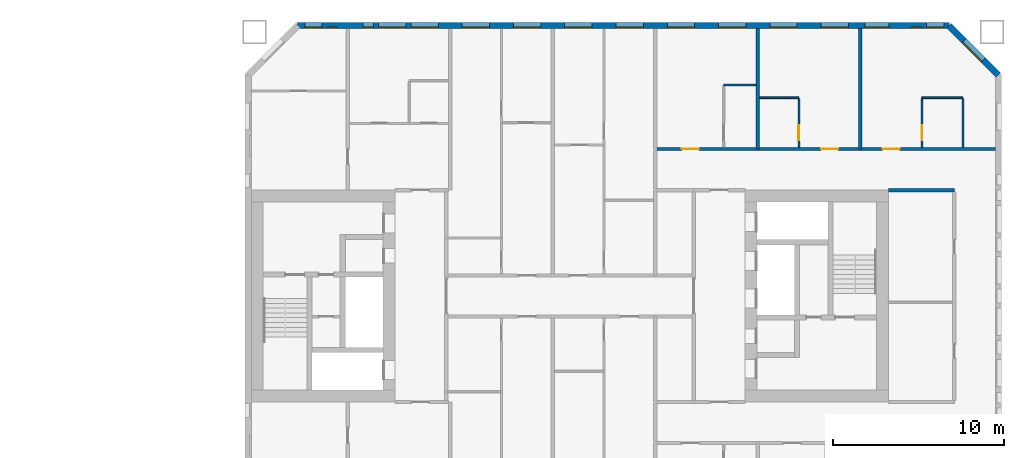
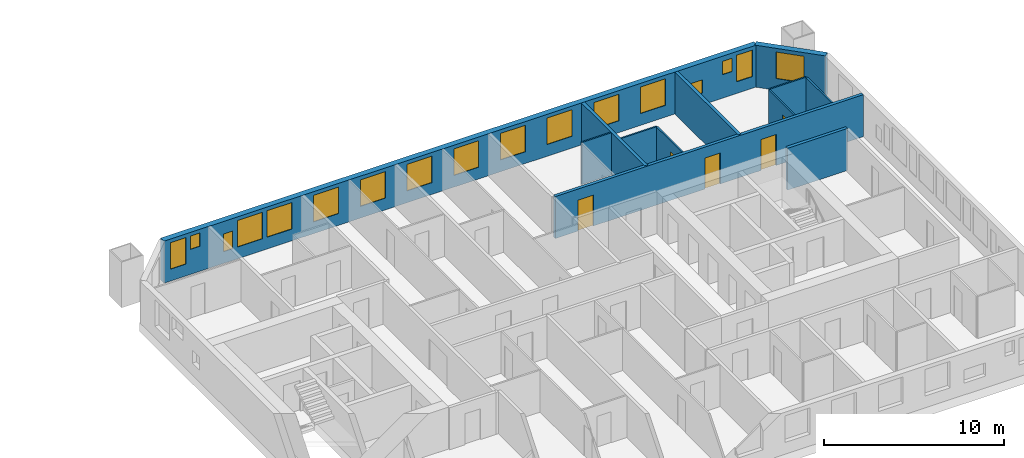
# One storey, part 14 of 17: 17 windows, 12 walls, 5 doors, 22 openings.
"""IFC4 building model written with IfcOpenShell, lengths in metres."""

from ifc_helpers import new_model, si_unit, direction, frame, frame_2d, origin, place, context, subcontext, project, spatial, rectangle, extrude, material, layer, layer_set, type_object, element, fill, save


model = new_model("IFC4")

# Units and contexts
model_context = context("Model", 3, precision=1e-05, world=origin(), true_north=direction((0.0, 1.0)))
body_context = subcontext(model_context, "Body", "Model", "MODEL_VIEW")
ifc_project = project(units=[si_unit("LENGTHUNIT", "METRE"), si_unit("AREAUNIT", "SQUARE_METRE"), si_unit("VOLUMEUNIT", "CUBIC_METRE"), si_unit("PLANEANGLEUNIT", "RADIAN"), si_unit("MASSUNIT", "GRAM", prefix="KILO")], contexts=[model_context])

# Site, building, storey
site_placement = place(None, origin())
site = spatial("IfcSite", under=ifc_project, at=site_placement, CompositionType="ELEMENT")
building_placement = place(site_placement, origin())
building = spatial("IfcBuilding", under=site, at=building_placement, Name="Tuart Gate Housing", CompositionType="ELEMENT")
storey_placement = place(building_placement, frame((0.0, 0.0, 71.60009765625)))
storey = spatial("IfcBuildingStorey", under=building, at=storey_placement, Name="L19", CompositionType="ELEMENT", Elevation=71.60009765625)

# Wall, opening, window
ifc_material_1 = material(Name="Brick", Category="masonry")
ifc_layer_1 = layer(ifc_material_1, 0.360107421875)
ifc_layer_set_1 = layer_set([ifc_layer_1], Name="Brick pier and spandrel wall 360")
wall_type_1 = type_object("IfcWallType", Name="Brick pier and spandrel wall 360", PredefinedType="STANDARD", material=ifc_layer_set_1)
wall_1_placement = place(storey_placement, frame((175.070068359375, 82.92529296875, 0.0), z_axis=(0.0, 0.0, 1.0), x_axis=(-0.707106781187, 0.707106781187, 0.0)))
wall_1 = element("IfcWall", 1, at=wall_1_placement, inside=storey, type_object=wall_type_1, Name="External wall B-NE L19", PredefinedType="STANDARD", context=body_context, shape_type="SweptSolid", body=[
    extrude(rectangle(XDim=4.09375, YDim=0.360107421875, at=frame_2d((2.046875, 0.0))), origin(), (0.0, 0.0, 1.0), 2.849853515625),
])
opening_1_placement = place(wall_1_placement, frame((1.2470703125, 0.0, 0.800048828125)))
opening_1 = element("IfcOpeningElement", 2, at=opening_1_placement, cuts=wall_1, Name="Opening W1", PredefinedType="OPENING", context=body_context, shape_type="SweptSolid", body=[
    extrude(rectangle(XDim=1.60009765625, YDim=1.800048828125, at=frame_2d((0.800048828125, 0.89990234375))), frame((0.0, 0.18994140625, 0.0), z_axis=(0.0, -1.0, 0.0), x_axis=(1.0, 0.0, 0.0)), (0.0, 0.0, 1.0), 0.380126953125),
])
ifc_material_2 = material(Name="Aluminium frame with clear glass", Category="aluminium")
window_type_1 = type_object("IfcWindowType", Name="Punched window 1600 x 1800", PartitioningType="SINGLE_PANEL", PredefinedType="WINDOW", material=ifc_material_2)
window_1_placement = place(opening_1_placement, origin())
window_1 = element("IfcWindow", 3, at=window_1_placement, inside=storey, type_object=window_type_1, Name="Window W1", OverallHeight=1.800048828125, OverallWidth=1.60009765625, PartitioningType="SINGLE_PANEL", PredefinedType="WINDOW", context=body_context, shape_type="SweptSolid", body=[
    extrude(rectangle(XDim=1.60009765625, YDim=1.800048828125, at=frame_2d((0.800048828125, 0.89990234375))), frame((0.0, 0.150146484375, 0.0), z_axis=(0.0, -1.0, 0.0), x_axis=(1.0, 0.0, 0.0)), (0.0, 0.0, 1.0), 0.06005859375),
])
fill(opening_1, window_1)

# Wall, openings, windows
wall_2_placement = place(storey_placement, frame((172.17529296875, 85.820068359375, 0.0), z_axis=(0.0, 0.0, 1.0), x_axis=(-1.0, 0.0, 0.0)))
wall_2 = element("IfcWall", 4, at=wall_2_placement, inside=storey, type_object=wall_type_1, Name="External wall B-N L19", PredefinedType="STANDARD", context=body_context, shape_type="SweptSolid", body=[
    extrude(rectangle(XDim=38.100830078125, YDim=0.360107421875, at=frame_2d((19.05029296875, 0.0))), origin(), (0.0, 0.0, 1.0), 2.849853515625),
])
opening_2_placement = place(wall_2_placement, frame((0.300048828125, 0.0, 0.800048828125)))
opening_2 = element("IfcOpeningElement", 5, at=opening_2_placement, cuts=wall_2, Name="Opening W1C", PredefinedType="OPENING", context=body_context, shape_type="SweptSolid", body=[
    extrude(rectangle(XDim=1.0, YDim=1.800048828125, at=frame_2d((0.5, 0.89990234375))), frame((0.0, 0.18994140625, 0.0), z_axis=(0.0, -1.0, 0.0), x_axis=(1.0, 0.0, 0.0)), (0.0, 0.0, 1.0), 0.380126953125),
])
opening_3_placement = place(wall_2_placement, frame((5.87548828125, 0.0, 0.800048828125)))
opening_3 = element("IfcOpeningElement", 6, at=opening_3_placement, cuts=wall_2, Name="Opening W1", PredefinedType="OPENING", context=body_context, shape_type="SweptSolid", body=[
    extrude(rectangle(XDim=1.60009765625, YDim=1.800048828125, at=frame_2d((0.800048828125, 0.89990234375))), frame((0.0, 0.18994140625, 0.0), z_axis=(0.0, -1.0, 0.0), x_axis=(1.0, 0.0, 0.0)), (0.0, 0.0, 1.0), 0.380126953125),
])
opening_4_placement = place(wall_2_placement, frame((8.87548828125, 0.0, 0.800048828125)))
opening_4 = element("IfcOpeningElement", 7, at=opening_4_placement, cuts=wall_2, Name="Opening W1", PredefinedType="OPENING", context=body_context, shape_type="SweptSolid", body=[
    extrude(rectangle(XDim=1.60009765625, YDim=1.800048828125, at=frame_2d((0.800048828125, 0.89990234375))), frame((0.0, 0.18994140625, 0.0), z_axis=(0.0, -1.0, 0.0), x_axis=(1.0, 0.0, 0.0)), (0.0, 0.0, 1.0), 0.380126953125),
])
opening_5_placement = place(wall_2_placement, frame((11.87548828125, 0.0, 0.800048828125)))
opening_5 = element("IfcOpeningElement", 8, at=opening_5_placement, cuts=wall_2, Name="Opening W1", PredefinedType="OPENING", context=body_context, shape_type="SweptSolid", body=[
    extrude(rectangle(XDim=1.60009765625, YDim=1.800048828125, at=frame_2d((0.800048828125, 0.89990234375))), frame((0.0, 0.18994140625, 0.0), z_axis=(0.0, -1.0, 0.0), x_axis=(1.0, 0.0, 0.0)), (0.0, 0.0, 1.0), 0.380126953125),
])
opening_6_placement = place(wall_2_placement, frame((14.87548828125, 0.0, 0.800048828125)))
opening_6 = element("IfcOpeningElement", 9, at=opening_6_placement, cuts=wall_2, Name="Opening W1", PredefinedType="OPENING", context=body_context, shape_type="SweptSolid", body=[
    extrude(rectangle(XDim=1.60009765625, YDim=1.800048828125, at=frame_2d((0.800048828125, 0.89990234375))), frame((0.0, 0.18994140625, 0.0), z_axis=(0.0, -1.0, 0.0), x_axis=(1.0, 0.0, 0.0)), (0.0, 0.0, 1.0), 0.380126953125),
])
opening_7_placement = place(wall_2_placement, frame((17.87548828125, 0.0, 0.800048828125)))
opening_7 = element("IfcOpeningElement", 10, at=opening_7_placement, cuts=wall_2, Name="Opening W1", PredefinedType="OPENING", context=body_context, shape_type="SweptSolid", body=[
    extrude(rectangle(XDim=1.60009765625, YDim=1.800048828125, at=frame_2d((0.800048828125, 0.89990234375))), frame((0.0, 0.18994140625, 0.0), z_axis=(0.0, -1.0, 0.0), x_axis=(1.0, 0.0, 0.0)), (0.0, 0.0, 1.0), 0.380126953125),
])
opening_8_placement = place(wall_2_placement, frame((20.87548828125, 0.0, 0.800048828125)))
opening_8 = element("IfcOpeningElement", 11, at=opening_8_placement, cuts=wall_2, Name="Opening W1", PredefinedType="OPENING", context=body_context, shape_type="SweptSolid", body=[
    extrude(rectangle(XDim=1.60009765625, YDim=1.800048828125, at=frame_2d((0.800048828125, 0.89990234375))), frame((0.0, 0.18994140625, 0.0), z_axis=(0.0, -1.0, 0.0), x_axis=(1.0, 0.0, 0.0)), (0.0, 0.0, 1.0), 0.380126953125),
])
opening_9_placement = place(wall_2_placement, frame((23.87548828125, 0.0, 0.800048828125)))
opening_9 = element("IfcOpeningElement", 12, at=opening_9_placement, cuts=wall_2, Name="Opening W1", PredefinedType="OPENING", context=body_context, shape_type="SweptSolid", body=[
    extrude(rectangle(XDim=1.60009765625, YDim=1.800048828125, at=frame_2d((0.800048828125, 0.89990234375))), frame((0.0, 0.18994140625, 0.0), z_axis=(0.0, -1.0, 0.0), x_axis=(1.0, 0.0, 0.0)), (0.0, 0.0, 1.0), 0.380126953125),
])
opening_10_placement = place(wall_2_placement, frame((26.87548828125, 0.0, 0.800048828125)))
opening_10 = element("IfcOpeningElement", 13, at=opening_10_placement, cuts=wall_2, Name="Opening W1", PredefinedType="OPENING", context=body_context, shape_type="SweptSolid", body=[
    extrude(rectangle(XDim=1.60009765625, YDim=1.800048828125, at=frame_2d((0.800048828125, 0.89990234375))), frame((0.0, 0.18994140625, 0.0), z_axis=(0.0, -1.0, 0.0), x_axis=(1.0, 0.0, 0.0)), (0.0, 0.0, 1.0), 0.380126953125),
])
opening_11_placement = place(wall_2_placement, frame((29.87548828125, 0.0, 0.800048828125)))
opening_11 = element("IfcOpeningElement", 14, at=opening_11_placement, cuts=wall_2, Name="Opening W1", PredefinedType="OPENING", context=body_context, shape_type="SweptSolid", body=[
    extrude(rectangle(XDim=1.60009765625, YDim=1.800048828125, at=frame_2d((0.800048828125, 0.89990234375))), frame((0.0, 0.18994140625, 0.0), z_axis=(0.0, -1.0, 0.0), x_axis=(1.0, 0.0, 0.0)), (0.0, 0.0, 1.0), 0.380126953125),
])
opening_12_placement = place(wall_2_placement, frame((31.775390625, 0.0, 0.800048828125)))
opening_12 = element("IfcOpeningElement", 15, at=opening_12_placement, cuts=wall_2, Name="Opening W1", PredefinedType="OPENING", context=body_context, shape_type="SweptSolid", body=[
    extrude(rectangle(XDim=1.60009765625, YDim=1.800048828125, at=frame_2d((0.800048828125, 0.89990234375))), frame((0.0, 0.18994140625, 0.0), z_axis=(0.0, -1.0, 0.0), x_axis=(1.0, 0.0, 0.0)), (0.0, 0.0, 1.0), 0.380126953125),
])
opening_13_placement = place(wall_2_placement, frame((35.775390625, 0.0, 1.699951171875)))
opening_13 = element("IfcOpeningElement", 16, at=opening_13_placement, cuts=wall_2, Name="Opening W1W", PredefinedType="OPENING", context=body_context, shape_type="SweptSolid", body=[
    extrude(rectangle(XDim=0.60009765625, YDim=0.89990234375, at=frame_2d((0.300048828125, 0.449951171875))), frame((0.0, 0.18994140625, 0.0), z_axis=(0.0, -1.0, 0.0), x_axis=(1.0, 0.0, 0.0)), (0.0, 0.0, 1.0), 0.380126953125),
])
opening_14_placement = place(wall_2_placement, frame((1.60009765625, 0.0, 1.60009765625)))
opening_14 = element("IfcOpeningElement", 17, at=opening_14_placement, cuts=wall_2, Name="Opening W1W", PredefinedType="OPENING", context=body_context, shape_type="SweptSolid", body=[
    extrude(rectangle(XDim=0.60009765625, YDim=0.89990234375, at=frame_2d((0.300048828125, 0.449951171875))), frame((0.0, 0.18994140625, 0.0), z_axis=(0.0, -1.0, 0.0), x_axis=(1.0, 0.0, 0.0)), (0.0, 0.0, 1.0), 0.380126953125),
])
opening_15_placement = place(wall_2_placement, frame((3.5, 0.0, 0.800048828125)))
opening_15 = element("IfcOpeningElement", 18, at=opening_15_placement, cuts=wall_2, Name="Opening W1S", PredefinedType="OPENING", context=body_context, shape_type="SweptSolid", body=[
    extrude(rectangle(XDim=1.39990234375, YDim=0.89990234375, at=frame_2d((0.699951171875, 0.449951171875))), frame((0.0, 0.18994140625, 0.0), z_axis=(0.0, -1.0, 0.0), x_axis=(1.0, 0.0, 0.0)), (0.0, 0.0, 1.0), 0.380126953125),
])
opening_16_placement = place(wall_2_placement, frame((33.67529296875, 0.0, 0.800048828125)))
opening_16 = element("IfcOpeningElement", 19, at=opening_16_placement, cuts=wall_2, Name="Opening W1Q", PredefinedType="OPENING", context=body_context, shape_type="SweptSolid", body=[
    extrude(rectangle(XDim=0.60009765625, YDim=1.199951171875, at=frame_2d((0.300048828125, 0.60009765625))), frame((0.0, 0.18994140625, 0.0), z_axis=(0.0, -1.0, 0.0), x_axis=(1.0, 0.0, 0.0)), (0.0, 0.0, 1.0), 0.380126953125),
])
opening_17_placement = place(wall_2_placement, frame((36.67529296875, 0.0, 0.800048828125)))
opening_17 = element("IfcOpeningElement", 20, at=opening_17_placement, cuts=wall_2, Name="Opening W1C", PredefinedType="OPENING", context=body_context, shape_type="SweptSolid", body=[
    extrude(rectangle(XDim=1.0, YDim=1.800048828125, at=frame_2d((0.5, 0.89990234375))), frame((0.0, 0.18994140625, 0.0), z_axis=(0.0, -1.0, 0.0), x_axis=(1.0, 0.0, 0.0)), (0.0, 0.0, 1.0), 0.380126953125),
])
ifc_material_3 = material(Name="Aluminium frame with clear glass", Category="aluminium")
window_type_2 = type_object("IfcWindowType", Name="Punched window 1000 x 1800", PartitioningType="SINGLE_PANEL", PredefinedType="WINDOW", material=ifc_material_3)
window_2_placement = place(opening_2_placement, origin())
window_2 = element("IfcWindow", 21, at=window_2_placement, inside=storey, type_object=window_type_2, Name="Window W1C", OverallHeight=1.800048828125, OverallWidth=1.0, PartitioningType="SINGLE_PANEL", PredefinedType="WINDOW", context=body_context, shape_type="SweptSolid", body=[
    extrude(rectangle(XDim=1.0, YDim=1.800048828125, at=frame_2d((0.5, 0.89990234375))), frame((0.0, 0.150146484375, 0.0), z_axis=(0.0, -1.0, 0.0), x_axis=(1.0, 0.0, 0.0)), (0.0, 0.0, 1.0), 0.06005859375),
])
fill(opening_2, window_2)
window_3_placement = place(opening_17_placement, origin())
window_3 = element("IfcWindow", 22, at=window_3_placement, inside=storey, type_object=window_type_2, Name="Window W1C", OverallHeight=1.800048828125, OverallWidth=1.0, PartitioningType="SINGLE_PANEL", PredefinedType="WINDOW", context=body_context, shape_type="SweptSolid", body=[
    extrude(rectangle(XDim=1.0, YDim=1.800048828125, at=frame_2d((0.5, 0.89990234375))), frame((0.0, 0.150146484375, 0.0), z_axis=(0.0, -1.0, 0.0), x_axis=(1.0, 0.0, 0.0)), (0.0, 0.0, 1.0), 0.06005859375),
])
fill(opening_17, window_3)
ifc_material_4 = material(Name="Aluminium frame with clear glass", Category="aluminium")
window_type_3 = type_object("IfcWindowType", Name="Punched window 1400 x 900", PartitioningType="SINGLE_PANEL", PredefinedType="WINDOW", material=ifc_material_4)
window_4_placement = place(opening_15_placement, origin())
window_4 = element("IfcWindow", 23, at=window_4_placement, inside=storey, type_object=window_type_3, Name="Window W1S", OverallHeight=0.89990234375, OverallWidth=1.39990234375, PartitioningType="SINGLE_PANEL", PredefinedType="WINDOW", context=body_context, shape_type="SweptSolid", body=[
    extrude(rectangle(XDim=1.39990234375, YDim=0.89990234375, at=frame_2d((0.699951171875, 0.449951171875))), frame((0.0, 0.150146484375, 0.0), z_axis=(0.0, -1.0, 0.0), x_axis=(1.0, 0.0, 0.0)), (0.0, 0.0, 1.0), 0.06005859375),
])
fill(opening_15, window_4)
window_5_placement = place(opening_3_placement, origin())
window_5 = element("IfcWindow", 24, at=window_5_placement, inside=storey, type_object=window_type_1, Name="Window W1", OverallHeight=1.800048828125, OverallWidth=1.60009765625, PartitioningType="SINGLE_PANEL", PredefinedType="WINDOW", context=body_context, shape_type="SweptSolid", body=[
    extrude(rectangle(XDim=1.60009765625, YDim=1.800048828125, at=frame_2d((0.800048828125, 0.89990234375))), frame((0.0, 0.150146484375, 0.0), z_axis=(0.0, -1.0, 0.0), x_axis=(1.0, 0.0, 0.0)), (0.0, 0.0, 1.0), 0.06005859375),
])
fill(opening_3, window_5)
window_6_placement = place(opening_4_placement, origin())
window_6 = element("IfcWindow", 25, at=window_6_placement, inside=storey, type_object=window_type_1, Name="Window W1", OverallHeight=1.800048828125, OverallWidth=1.60009765625, PartitioningType="SINGLE_PANEL", PredefinedType="WINDOW", context=body_context, shape_type="SweptSolid", body=[
    extrude(rectangle(XDim=1.60009765625, YDim=1.800048828125, at=frame_2d((0.800048828125, 0.89990234375))), frame((0.0, 0.150146484375, 0.0), z_axis=(0.0, -1.0, 0.0), x_axis=(1.0, 0.0, 0.0)), (0.0, 0.0, 1.0), 0.06005859375),
])
fill(opening_4, window_6)
window_7_placement = place(opening_5_placement, origin())
window_7 = element("IfcWindow", 26, at=window_7_placement, inside=storey, type_object=window_type_1, Name="Window W1", OverallHeight=1.800048828125, OverallWidth=1.60009765625, PartitioningType="SINGLE_PANEL", PredefinedType="WINDOW", context=body_context, shape_type="SweptSolid", body=[
    extrude(rectangle(XDim=1.60009765625, YDim=1.800048828125, at=frame_2d((0.800048828125, 0.89990234375))), frame((0.0, 0.150146484375, 0.0), z_axis=(0.0, -1.0, 0.0), x_axis=(1.0, 0.0, 0.0)), (0.0, 0.0, 1.0), 0.06005859375),
])
fill(opening_5, window_7)
window_8_placement = place(opening_6_placement, origin())
window_8 = element("IfcWindow", 27, at=window_8_placement, inside=storey, type_object=window_type_1, Name="Window W1", OverallHeight=1.800048828125, OverallWidth=1.60009765625, PartitioningType="SINGLE_PANEL", PredefinedType="WINDOW", context=body_context, shape_type="SweptSolid", body=[
    extrude(rectangle(XDim=1.60009765625, YDim=1.800048828125, at=frame_2d((0.800048828125, 0.89990234375))), frame((0.0, 0.150146484375, 0.0), z_axis=(0.0, -1.0, 0.0), x_axis=(1.0, 0.0, 0.0)), (0.0, 0.0, 1.0), 0.06005859375),
])
fill(opening_6, window_8)
window_9_placement = place(opening_7_placement, origin())
window_9 = element("IfcWindow", 28, at=window_9_placement, inside=storey, type_object=window_type_1, Name="Window W1", OverallHeight=1.800048828125, OverallWidth=1.60009765625, PartitioningType="SINGLE_PANEL", PredefinedType="WINDOW", context=body_context, shape_type="SweptSolid", body=[
    extrude(rectangle(XDim=1.60009765625, YDim=1.800048828125, at=frame_2d((0.800048828125, 0.89990234375))), frame((0.0, 0.150146484375, 0.0), z_axis=(0.0, -1.0, 0.0), x_axis=(1.0, 0.0, 0.0)), (0.0, 0.0, 1.0), 0.06005859375),
])
fill(opening_7, window_9)
window_10_placement = place(opening_8_placement, origin())
window_10 = element("IfcWindow", 29, at=window_10_placement, inside=storey, type_object=window_type_1, Name="Window W1", OverallHeight=1.800048828125, OverallWidth=1.60009765625, PartitioningType="SINGLE_PANEL", PredefinedType="WINDOW", context=body_context, shape_type="SweptSolid", body=[
    extrude(rectangle(XDim=1.60009765625, YDim=1.800048828125, at=frame_2d((0.800048828125, 0.89990234375))), frame((0.0, 0.150146484375, 0.0), z_axis=(0.0, -1.0, 0.0), x_axis=(1.0, 0.0, 0.0)), (0.0, 0.0, 1.0), 0.06005859375),
])
fill(opening_8, window_10)
window_11_placement = place(opening_9_placement, origin())
window_11 = element("IfcWindow", 30, at=window_11_placement, inside=storey, type_object=window_type_1, Name="Window W1", OverallHeight=1.800048828125, OverallWidth=1.60009765625, PartitioningType="SINGLE_PANEL", PredefinedType="WINDOW", context=body_context, shape_type="SweptSolid", body=[
    extrude(rectangle(XDim=1.60009765625, YDim=1.800048828125, at=frame_2d((0.800048828125, 0.89990234375))), frame((0.0, 0.150146484375, 0.0), z_axis=(0.0, -1.0, 0.0), x_axis=(1.0, 0.0, 0.0)), (0.0, 0.0, 1.0), 0.06005859375),
])
fill(opening_9, window_11)
window_12_placement = place(opening_10_placement, origin())
window_12 = element("IfcWindow", 31, at=window_12_placement, inside=storey, type_object=window_type_1, Name="Window W1", OverallHeight=1.800048828125, OverallWidth=1.60009765625, PartitioningType="SINGLE_PANEL", PredefinedType="WINDOW", context=body_context, shape_type="SweptSolid", body=[
    extrude(rectangle(XDim=1.60009765625, YDim=1.800048828125, at=frame_2d((0.800048828125, 0.89990234375))), frame((0.0, 0.150146484375, 0.0), z_axis=(0.0, -1.0, 0.0), x_axis=(1.0, 0.0, 0.0)), (0.0, 0.0, 1.0), 0.06005859375),
])
fill(opening_10, window_12)
window_13_placement = place(opening_11_placement, origin())
window_13 = element("IfcWindow", 32, at=window_13_placement, inside=storey, type_object=window_type_1, Name="Window W1", OverallHeight=1.800048828125, OverallWidth=1.60009765625, PartitioningType="SINGLE_PANEL", PredefinedType="WINDOW", context=body_context, shape_type="SweptSolid", body=[
    extrude(rectangle(XDim=1.60009765625, YDim=1.800048828125, at=frame_2d((0.800048828125, 0.89990234375))), frame((0.0, 0.150146484375, 0.0), z_axis=(0.0, -1.0, 0.0), x_axis=(1.0, 0.0, 0.0)), (0.0, 0.0, 1.0), 0.06005859375),
])
fill(opening_11, window_13)
window_14_placement = place(opening_12_placement, origin())
window_14 = element("IfcWindow", 33, at=window_14_placement, inside=storey, type_object=window_type_1, Name="Window W1", OverallHeight=1.800048828125, OverallWidth=1.60009765625, PartitioningType="SINGLE_PANEL", PredefinedType="WINDOW", context=body_context, shape_type="SweptSolid", body=[
    extrude(rectangle(XDim=1.60009765625, YDim=1.800048828125, at=frame_2d((0.800048828125, 0.89990234375))), frame((0.0, 0.150146484375, 0.0), z_axis=(0.0, -1.0, 0.0), x_axis=(1.0, 0.0, 0.0)), (0.0, 0.0, 1.0), 0.06005859375),
])
fill(opening_12, window_14)
ifc_material_5 = material(Name="Aluminium frame with clear glass", Category="aluminium")
window_type_4 = type_object("IfcWindowType", Name="Punched window 600 x 1200", PartitioningType="SINGLE_PANEL", PredefinedType="WINDOW", material=ifc_material_5)
window_15_placement = place(opening_16_placement, origin())
window_15 = element("IfcWindow", 34, at=window_15_placement, inside=storey, type_object=window_type_4, Name="Window W1Q", OverallHeight=1.199951171875, OverallWidth=0.60009765625, PartitioningType="SINGLE_PANEL", PredefinedType="WINDOW", context=body_context, shape_type="SweptSolid", body=[
    extrude(rectangle(XDim=0.60009765625, YDim=1.199951171875, at=frame_2d((0.300048828125, 0.60009765625))), frame((0.0, 0.150146484375, 0.0), z_axis=(0.0, -1.0, 0.0), x_axis=(1.0, 0.0, 0.0)), (0.0, 0.0, 1.0), 0.06005859375),
])
fill(opening_16, window_15)
ifc_material_6 = material(Name="Aluminium frame with clear glass", Category="aluminium")
window_type_5 = type_object("IfcWindowType", Name="Punched window 600 x 900", PartitioningType="SINGLE_PANEL", PredefinedType="WINDOW", material=ifc_material_6)
window_16_placement = place(opening_13_placement, origin())
window_16 = element("IfcWindow", 35, at=window_16_placement, inside=storey, type_object=window_type_5, Name="Window W1W", OverallHeight=0.89990234375, OverallWidth=0.60009765625, PartitioningType="SINGLE_PANEL", PredefinedType="WINDOW", context=body_context, shape_type="SweptSolid", body=[
    extrude(rectangle(XDim=0.60009765625, YDim=0.89990234375, at=frame_2d((0.300048828125, 0.449951171875))), frame((0.0, 0.150146484375, 0.0), z_axis=(0.0, -1.0, 0.0), x_axis=(1.0, 0.0, 0.0)), (0.0, 0.0, 1.0), 0.06005859375),
])
fill(opening_13, window_16)
window_17_placement = place(opening_14_placement, origin())
window_17 = element("IfcWindow", 36, at=window_17_placement, inside=storey, type_object=window_type_5, Name="Window W1W", OverallHeight=0.89990234375, OverallWidth=0.60009765625, PartitioningType="SINGLE_PANEL", PredefinedType="WINDOW", context=body_context, shape_type="SweptSolid", body=[
    extrude(rectangle(XDim=0.60009765625, YDim=0.89990234375, at=frame_2d((0.300048828125, 0.449951171875))), frame((0.0, 0.150146484375, 0.0), z_axis=(0.0, -1.0, 0.0), x_axis=(1.0, 0.0, 0.0)), (0.0, 0.0, 1.0), 0.06005859375),
])
fill(opening_14, window_17)

# Wall
ifc_material_7 = material(Name="Concrete masonry 15 MPa", Category="masonry")
ifc_layer_2 = layer(ifc_material_7, 0.199951171875)
ifc_layer_set_2 = layer_set([ifc_layer_2], Name="Corridor wall masonry 200")
wall_type_2 = type_object("IfcWallType", Name="Corridor wall masonry 200", PredefinedType="PARTITIONING", material=ifc_layer_set_2)
wall_3_placement = place(storey_placement, frame((168.639892578125, 76.199951171875, 0.0), z_axis=(0.0, 0.0, 1.0), x_axis=(1.0, 0.0, 0.0)))
element("IfcWall", 37, at=wall_3_placement, inside=storey, type_object=wall_type_2, Name="Corridor wall masonry 200", PredefinedType="PARTITIONING", context=body_context, shape_type="SweptSolid", body=[
    extrude(rectangle(XDim=3.85009765625, YDim=0.199951171875, at=frame_2d((1.925048828125, 0.0))), origin(), (0.0, 0.0, 1.0), 2.849853515625),
])

# Wall, openings, doors
wall_4_placement = place(storey_placement, frame((155.10009765625, 78.60009765625, 0.0), z_axis=(0.0, 0.0, 1.0), x_axis=(1.0, 0.0, 0.0)))
wall_4 = element("IfcWall", 38, at=wall_4_placement, inside=storey, type_object=wall_type_2, Name="Corridor wall masonry 200", PredefinedType="PARTITIONING", context=body_context, shape_type="SweptSolid", body=[
    extrude(rectangle(XDim=19.789794921875, YDim=0.199951171875, at=frame_2d((9.89501953125, 0.0))), origin(), (0.0, 0.0, 1.0), 2.849853515625),
])
opening_18_placement = place(wall_4_placement, frame((1.449951171875, 0.0, 0.0)))
opening_18 = element("IfcOpeningElement", 39, at=opening_18_placement, cuts=wall_4, Name="Opening D906", PredefinedType="OPENING", context=body_context, shape_type="SweptSolid", body=[
    extrude(rectangle(XDim=1.0, YDim=2.10009765625, at=frame_2d((0.5, 1.050048828125))), frame((0.0, 0.10986328125, 0.0), z_axis=(0.0, -1.0, 0.0), x_axis=(1.0, 0.0, 0.0)), (0.0, 0.0, 1.0), 0.219970703125),
])
opening_19_placement = place(wall_4_placement, frame((9.60009765625, 0.0, 0.0)))
opening_19 = element("IfcOpeningElement", 40, at=opening_19_placement, cuts=wall_4, Name="Opening D907", PredefinedType="OPENING", context=body_context, shape_type="SweptSolid", body=[
    extrude(rectangle(XDim=1.0, YDim=2.10009765625, at=frame_2d((0.5, 1.050048828125))), frame((0.0, 0.10986328125, 0.0), z_axis=(0.0, -1.0, 0.0), x_axis=(1.0, 0.0, 0.0)), (0.0, 0.0, 1.0), 0.219970703125),
])
opening_20_placement = place(wall_4_placement, frame((13.199951171875, 0.0, 0.0)))
opening_20 = element("IfcOpeningElement", 41, at=opening_20_placement, cuts=wall_4, Name="Opening D908", PredefinedType="OPENING", context=body_context, shape_type="SweptSolid", body=[
    extrude(rectangle(XDim=1.0, YDim=2.10009765625, at=frame_2d((0.5, 1.050048828125))), frame((0.0, 0.10986328125, 0.0), z_axis=(0.0, -1.0, 0.0), x_axis=(1.0, 0.0, 0.0)), (0.0, 0.0, 1.0), 0.219970703125),
])
ifc_material_8 = material(Name="Timber door leaf in steel frame", Category="steel")
door_type_1 = type_object("IfcDoorType", Name="Flat entrance door 1000", OperationType="SINGLE_SWING_LEFT", PredefinedType="DOOR", material=ifc_material_8)
door_1_placement = place(opening_19_placement, origin())
door_1 = element("IfcDoor", 42, at=door_1_placement, inside=storey, type_object=door_type_1, Name="Flat entrance door", OperationType="SINGLE_SWING_LEFT", OverallHeight=2.10009765625, OverallWidth=1.0, PredefinedType="DOOR", context=body_context, shape_type="SweptSolid", body=[
    extrude(rectangle(XDim=1.0, YDim=2.10009765625, at=frame_2d((0.5, 1.050048828125))), frame((0.0, 0.02490234375, 0.0), z_axis=(0.0, -1.0, 0.0), x_axis=(1.0, 0.0, 0.0)), (0.0, 0.0, 1.0), 0.050048828125),
])
fill(opening_19, door_1)
door_2_placement = place(opening_20_placement, origin())
door_2 = element("IfcDoor", 43, at=door_2_placement, inside=storey, type_object=door_type_1, Name="Flat entrance door", OperationType="SINGLE_SWING_LEFT", OverallHeight=2.10009765625, OverallWidth=1.0, PredefinedType="DOOR", context=body_context, shape_type="SweptSolid", body=[
    extrude(rectangle(XDim=1.0, YDim=2.10009765625, at=frame_2d((0.5, 1.050048828125))), frame((0.0, 0.02490234375, 0.0), z_axis=(0.0, -1.0, 0.0), x_axis=(1.0, 0.0, 0.0)), (0.0, 0.0, 1.0), 0.050048828125),
])
fill(opening_20, door_2)
ifc_material_9 = material(Name="Timber door leaf in steel frame", Category="steel")
door_type_2 = type_object("IfcDoorType", Name="Flat entrance door 1000 RH", OperationType="SINGLE_SWING_RIGHT", PredefinedType="DOOR", material=ifc_material_9)
door_3_placement = place(opening_18_placement, origin())
door_3 = element("IfcDoor", 44, at=door_3_placement, inside=storey, type_object=door_type_2, Name="Flat entrance door", OperationType="SINGLE_SWING_RIGHT", OverallHeight=2.10009765625, OverallWidth=1.0, PredefinedType="DOOR", context=body_context, shape_type="SweptSolid", body=[
    extrude(rectangle(XDim=1.0, YDim=2.10009765625, at=frame_2d((0.5, 1.050048828125))), frame((0.0, 0.02490234375, 0.0), z_axis=(0.0, -1.0, 0.0), x_axis=(1.0, 0.0, 0.0)), (0.0, 0.0, 1.0), 0.050048828125),
])
fill(opening_18, door_3)

# Walls
ifc_material_10 = material(Name="Gypsum board on steel studs", Category="steel")
ifc_layer_3 = layer(ifc_material_10, 0.10009765625)
ifc_layer_set_3 = layer_set([ifc_layer_3], Name="Partition 100")
wall_type_3 = type_object("IfcWallType", Name="Partition 100", PredefinedType="PARTITIONING", material=ifc_layer_set_3)
wall_5_placement = place(storey_placement, frame((161.10009765625, 81.60009765625, 0.0), z_axis=(0.0, 0.0, 1.0), x_axis=(1.0, 0.0, 0.0)))
element("IfcWall", 45, at=wall_5_placement, inside=storey, type_object=wall_type_3, Name="Partition 100", PredefinedType="PARTITIONING", context=body_context, shape_type="SweptSolid", body=[
    extrude(rectangle(XDim=2.2998046875, YDim=0.10009765625, at=frame_2d((1.14990234375, 0.0))), origin(), (0.0, 0.0, 1.0), 2.849853515625),
])
wall_6_placement = place(storey_placement, frame((170.60009765625, 81.60009765625, 0.0), z_axis=(0.0, 0.0, 1.0), x_axis=(1.0, 0.0, 0.0)))
element("IfcWall", 46, at=wall_6_placement, inside=storey, type_object=wall_type_3, Name="Partition 100", PredefinedType="PARTITIONING", context=body_context, shape_type="SweptSolid", body=[
    extrude(rectangle(XDim=2.39990234375, YDim=0.10009765625, at=frame_2d((1.199951171875, 0.0))), origin(), (0.0, 0.0, 1.0), 2.849853515625),
])
wall_7_placement = place(storey_placement, frame((159.0, 82.35009765625, 0.0), z_axis=(0.0, 0.0, 1.0), x_axis=(1.0, 0.0, 0.0)))
element("IfcWall", 47, at=wall_7_placement, inside=storey, type_object=wall_type_3, Name="Partition 100", PredefinedType="PARTITIONING", context=body_context, shape_type="SweptSolid", body=[
    extrude(rectangle(XDim=1.89990234375, YDim=0.10009765625, at=frame_2d((0.949951171875, 0.0))), origin(), (0.0, 0.0, 1.0), 2.849853515625),
])

# Wall, opening, door
wall_8_placement = place(storey_placement, frame((163.39990234375, 78.699951171875, 0.0), z_axis=(0.0, 0.0, 1.0), x_axis=(0.0, 1.0, 0.0)))
wall_8 = element("IfcWall", 48, at=wall_8_placement, inside=storey, type_object=wall_type_3, Name="Partition 100", PredefinedType="PARTITIONING", context=body_context, shape_type="SweptSolid", body=[
    extrude(rectangle(XDim=2.85009765625, YDim=0.10009765625, at=frame_2d((1.425048828125, 0.0))), origin(), (0.0, 0.0, 1.0), 2.849853515625),
])
opening_21_placement = place(wall_8_placement, frame((0.39990234375, 0.0, 0.0)))
opening_21 = element("IfcOpeningElement", 49, at=opening_21_placement, cuts=wall_8, Name="Opening D901", PredefinedType="OPENING", context=body_context, shape_type="SweptSolid", body=[
    extrude(rectangle(XDim=0.89990234375, YDim=2.10009765625, at=frame_2d((0.449951171875, 1.050048828125))), frame((0.0, 0.06005859375, 0.0), z_axis=(0.0, -1.0, 0.0), x_axis=(1.0, 0.0, 0.0)), (0.0, 0.0, 1.0), 0.1201171875),
])
ifc_material_11 = material(Name="Timber door leaf in steel frame", Category="steel")
door_type_3 = type_object("IfcDoorType", Name="Bathroom door 900", OperationType="SINGLE_SWING_LEFT", PredefinedType="DOOR", material=ifc_material_11)
door_4_placement = place(opening_21_placement, origin())
door_4 = element("IfcDoor", 50, at=door_4_placement, inside=storey, type_object=door_type_3, Name="Bathroom door", OperationType="SINGLE_SWING_LEFT", OverallHeight=2.10009765625, OverallWidth=0.89990234375, PredefinedType="DOOR", context=body_context, shape_type="SweptSolid", body=[
    extrude(rectangle(XDim=0.89990234375, YDim=2.10009765625, at=frame_2d((0.449951171875, 1.050048828125))), frame((0.0, 0.02490234375, 0.0), z_axis=(0.0, -1.0, 0.0), x_axis=(1.0, 0.0, 0.0)), (0.0, 0.0, 1.0), 0.050048828125),
])
fill(opening_21, door_4)

wall_9_placement = place(storey_placement, frame((170.60009765625, 78.699951171875, 0.0), z_axis=(0.0, 0.0, 1.0), x_axis=(0.0, 1.0, 0.0)))
wall_9 = element("IfcWall", 51, at=wall_9_placement, inside=storey, type_object=wall_type_3, Name="Partition 100", PredefinedType="PARTITIONING", context=body_context, shape_type="SweptSolid", body=[
    extrude(rectangle(XDim=2.85009765625, YDim=0.10009765625, at=frame_2d((1.425048828125, 0.0))), origin(), (0.0, 0.0, 1.0), 2.849853515625),
])
opening_22_placement = place(wall_9_placement, frame((0.39990234375, 0.0, 0.0)))
opening_22 = element("IfcOpeningElement", 52, at=opening_22_placement, cuts=wall_9, Name="Opening D902", PredefinedType="OPENING", context=body_context, shape_type="SweptSolid", body=[
    extrude(rectangle(XDim=0.89990234375, YDim=2.10009765625, at=frame_2d((0.449951171875, 1.050048828125))), frame((0.0, 0.06005859375, 0.0), z_axis=(0.0, -1.0, 0.0), x_axis=(1.0, 0.0, 0.0)), (0.0, 0.0, 1.0), 0.1201171875),
])
ifc_material_12 = material(Name="Timber door leaf in steel frame", Category="steel")
door_type_4 = type_object("IfcDoorType", Name="Bathroom door 900 RH", OperationType="SINGLE_SWING_RIGHT", PredefinedType="DOOR", material=ifc_material_12)
door_5_placement = place(opening_22_placement, frame((0.89990234375, 0.0, 0.0), z_axis=(0.0, 0.0, 1.0), x_axis=(-1.0, 0.0, 0.0)))
door_5 = element("IfcDoor", 53, at=door_5_placement, inside=storey, type_object=door_type_4, Name="Bathroom door", OperationType="SINGLE_SWING_RIGHT", OverallHeight=2.10009765625, OverallWidth=0.89990234375, PredefinedType="DOOR", context=body_context, shape_type="SweptSolid", body=[
    extrude(rectangle(XDim=0.89990234375, YDim=2.10009765625, at=frame_2d((0.449951171875, 1.050048828125))), frame((0.0, 0.025146484375, 0.0), z_axis=(0.0, -1.0, 0.0), x_axis=(1.0, 0.0, 0.0)), (0.0, 0.0, 1.0), 0.050048828125),
])
fill(opening_22, door_5)

# Walls
wall_10_placement = place(storey_placement, frame((173.0, 78.699951171875, 0.0), z_axis=(0.0, 0.0, 1.0), x_axis=(0.0, 1.0, 0.0)))
element("IfcWall", 54, at=wall_10_placement, inside=storey, type_object=wall_type_3, Name="Partition 100", PredefinedType="PARTITIONING", context=body_context, shape_type="SweptSolid", body=[
    extrude(rectangle(XDim=2.85009765625, YDim=0.10009765625, at=frame_2d((1.425048828125, 0.0))), origin(), (0.0, 0.0, 1.0), 2.849853515625),
])
ifc_material_13 = material(Name="Concrete C40", Category="concrete")
ifc_layer_4 = layer(ifc_material_13, 0.199951171875)
ifc_layer_set_4 = layer_set([ifc_layer_4], Name="Party wall concrete C40 200")
wall_type_4 = type_object("IfcWallType", Name="Party wall concrete C40 200", PredefinedType="SOLIDWALL", material=ifc_layer_set_4)
for number, where, z_axis, x_axis, name in (
    (55, (161.0, 78.60009765625, 0.0), (0.0, 0.0, 1.0), (0.0, 1.0, 0.0), "Party wall concrete C40 200"),
    (56, (167.0, 78.60009765625, 0.0), (0.0, 0.0, 1.0), (0.0, 1.0, 0.0), "Party wall concrete C40 200"),
):
    element("IfcWall", number, at=place(storey_placement, frame(where, z_axis=z_axis, x_axis=x_axis)), inside=storey, type_object=wall_type_4, Name=name, PredefinedType="SOLIDWALL", context=body_context, shape_type="SweptSolid", body=[
        extrude(rectangle(XDim=7.039794921875, YDim=0.199951171875, at=frame_2d((3.52001953125, 0.0))), origin(), (0.0, 0.0, 1.0), 2.849853515625),
    ])

save(model, "model.ifc")
